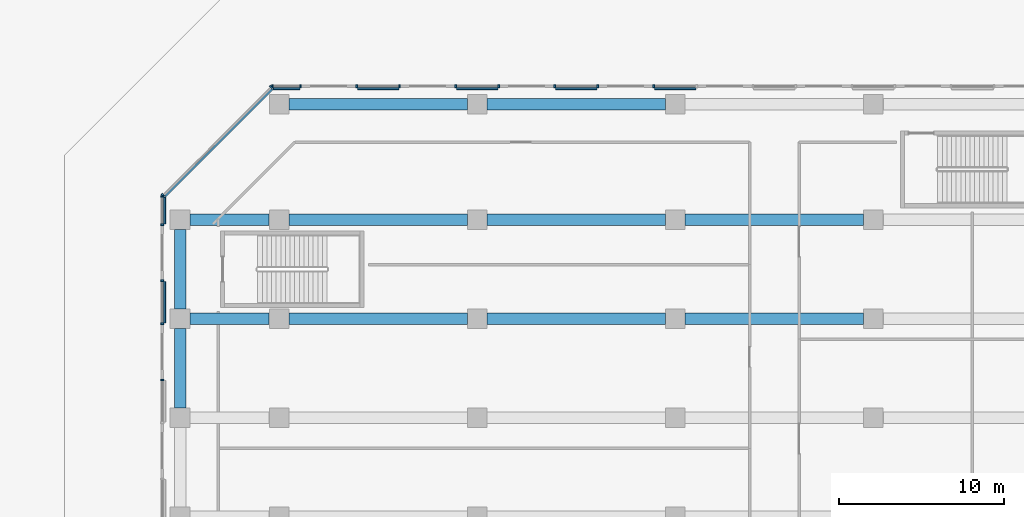
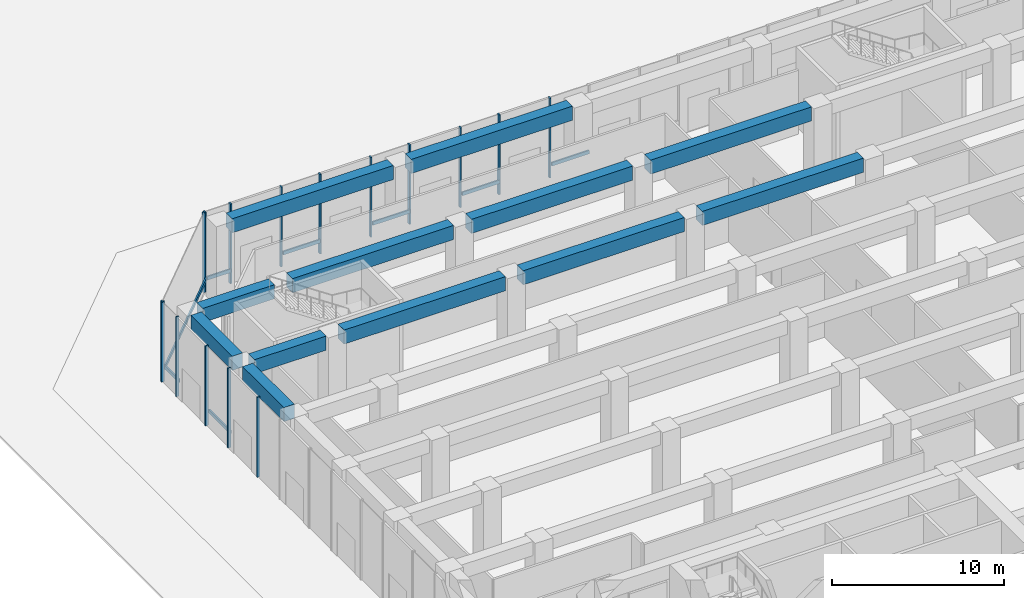
# One storey, part 9 of 32: 24 members, 12 beams, 9 elements without a shape of their own.
"""IFC4 building model written with IfcOpenShell, lengths in metres."""

from ifc_helpers import new_model, si_unit, direction, frame, origin, origin_2d, place, context, subcontext, project, spatial, rectangle, extrude, material, layer, layer_set, material_profile, profile_set, type_object, element, aggregate, save


model = new_model("IFC4")

# Units and contexts
model_context = context("Model", 3, precision=1e-05, world=origin(), true_north=direction((0.0, 1.0)))
body_context = subcontext(model_context, "Body", "Model", "MODEL_VIEW")
ifc_project = project(units=[si_unit("LENGTHUNIT", "METRE"), si_unit("AREAUNIT", "SQUARE_METRE"), si_unit("VOLUMEUNIT", "CUBIC_METRE"), si_unit("PLANEANGLEUNIT", "RADIAN"), si_unit("MASSUNIT", "GRAM", prefix="KILO")], contexts=[model_context])

# Site, building, storey
site_placement = place(None, origin())
site = spatial("IfcSite", under=ifc_project, at=site_placement, CompositionType="ELEMENT")
building_placement = place(site_placement, origin())
building = spatial("IfcBuilding", under=site, at=building_placement, Name="Welwitschia Terrace Campus", CompositionType="ELEMENT")
storey_placement = place(building_placement, origin())
storey = spatial("IfcBuildingStorey", under=building, at=storey_placement, Name="L00", CompositionType="ELEMENT", Elevation=0.0)

# Beams
ifc_material_1 = material(Name="Concrete C60/75", Category="concrete")
ifc_material_profile_1 = material_profile(ifc_material_1, rectangle(XDim=0.699951171875, YDim=1.0, at=origin_2d()))
ifc_profile_set_1 = profile_set([ifc_material_profile_1], Name="Concrete C60/75")
beam_type = type_object("IfcBeamType", Name="Base block beam 700x1000", PredefinedType="BEAM", material=ifc_profile_set_1)
beam_1_placement = place(storey_placement, frame((-5.3994140625, 56.0, 5.14990234375), z_axis=(1.0, 0.0, 0.0), x_axis=(0.0, 1.0, 0.0)))
element("IfcBeam", 1, at=beam_1_placement, inside=storey, type_object=beam_type, Name="Beam BB1", PredefinedType="BEAM", context=body_context, shape_type="SweptSolid", body=[
    extrude(rectangle(XDim=0.699951171875, YDim=1.0, at=origin_2d()), origin(), (0.0, 0.0, 1.0), 4.798828125),
])
for number, where, z_axis, x_axis, name in (
    (2, (0.6005859375, 56.0, 5.14990234375), (1.0, 0.0, 0.0), (0.0, 1.0, 0.0), "Beam BB1"),
    (3, (12.6005859375, 56.0, 5.14990234375), (1.0, 0.0, 0.0), (0.0, 1.0, 0.0), "Beam BB1"),
    (4, (24.6005859375, 56.0, 5.14990234375), (1.0, 0.0, 0.0), (0.0, 1.0, 0.0), "Beam BB1"),
):
    element("IfcBeam", number, at=place(storey_placement, frame(where, z_axis=z_axis, x_axis=x_axis)), inside=storey, type_object=beam_type, Name=name, PredefinedType="BEAM", context=body_context, shape_type="SweptSolid", body=[
        extrude(rectangle(XDim=0.699951171875, YDim=1.0, at=origin_2d()), origin(), (0.0, 0.0, 1.0), 10.798828125),
    ])
beam_2_placement = place(storey_placement, frame((-5.3994140625, 62.0, 5.14990234375), z_axis=(1.0, 0.0, 0.0), x_axis=(0.0, 1.0, 0.0)))
element("IfcBeam", 5, at=beam_2_placement, inside=storey, type_object=beam_type, Name="Beam BB1", PredefinedType="BEAM", context=body_context, shape_type="SweptSolid", body=[
    extrude(rectangle(XDim=0.699951171875, YDim=1.0, at=origin_2d()), origin(), (0.0, 0.0, 1.0), 4.798828125),
])
for number, where, z_axis, x_axis, name in (
    (6, (0.6005859375, 62.0, 5.14990234375), (1.0, 0.0, 0.0), (0.0, 1.0, 0.0), "Beam BB1"),
    (7, (12.6005859375, 62.0, 5.14990234375), (1.0, 0.0, 0.0), (0.0, 1.0, 0.0), "Beam BB1"),
    (8, (24.6005859375, 62.0, 5.14990234375), (1.0, 0.0, 0.0), (0.0, 1.0, 0.0), "Beam BB1"),
    (9, (0.6005859375, 69.0, 5.14990234375), (1.0, 0.0, 0.0), (0.0, 1.0, 0.0), "Beam BB1"),
    (10, (12.6005859375, 69.0, 5.14990234375), (1.0, 0.0, 0.0), (0.0, 1.0, 0.0), "Beam BB1"),
):
    element("IfcBeam", number, at=place(storey_placement, frame(where, z_axis=z_axis, x_axis=x_axis)), inside=storey, type_object=beam_type, Name=name, PredefinedType="BEAM", context=body_context, shape_type="SweptSolid", body=[
        extrude(rectangle(XDim=0.699951171875, YDim=1.0, at=origin_2d()), origin(), (0.0, 0.0, 1.0), 10.798828125),
    ])
for number, where, z_axis, x_axis, name in (
    (11, (-6.0, 50.6005859375, 5.14990234375), (0.0, 1.0, 0.0), (-1.0, 0.0, 0.0), "Beam BB1"),
    (12, (-6.0, 56.6005859375, 5.14990234375), (0.0, 1.0, 0.0), (-1.0, 0.0, 0.0), "Beam BB1"),
):
    element("IfcBeam", number, at=place(storey_placement, frame(where, z_axis=z_axis, x_axis=x_axis)), inside=storey, type_object=beam_type, Name=name, PredefinedType="BEAM", context=body_context, shape_type="SweptSolid", body=[
        extrude(rectangle(XDim=0.699951171875, YDim=1.0, at=origin_2d()), origin(), (0.0, 0.0, 1.0), 4.798828125),
    ])

# Curtain wall, member
ifc_material_2 = material(Name="Bronze anodised aluminium", Category="aluminium")
ifc_layer = layer(ifc_material_2, 0.199951171875)
ifc_layer_set = layer_set([ifc_layer], Name="Bronze anodised aluminium")
curtain_wall_type = type_object("IfcCurtainWallType", Name="Curtain wall CW4 arcade shopfront 7500", PredefinedType="NOTDEFINED", material=ifc_layer_set)
curtain_wall_1_placement = place(storey_placement, origin())
curtain_wall_1 = element("IfcCurtainWall", 13, at=curtain_wall_1_placement, inside=storey, type_object=curtain_wall_type, Name="CW L00.4.g11", PredefinedType="NOTDEFINED")
ifc_material_3 = material(Name="Bronze anodised aluminium", Category="aluminium")
ifc_material_profile_2 = material_profile(ifc_material_3, rectangle(XDim=0.199951171875, YDim=0.10009765625, at=origin_2d()))
ifc_profile_set_2 = profile_set([ifc_material_profile_2], Name="Bronze anodised aluminium")
member_type_1 = type_object("IfcMemberType", Name="Mullion 100x200", PredefinedType="MULLION", material=ifc_profile_set_2)
member_1_placement = place(storey_placement, frame((22.699951171875, 70.0849609375, 0.0), z_axis=(0.0, 0.0, 1.0), x_axis=(0.0, -1.0, 0.0)))
member_1 = element("IfcMember", 14, at=member_1_placement, type_object=member_type_1, Name="Mullion L00.4.g11.1", PredefinedType="MULLION", context=body_context, shape_type="SweptSolid", body=[
    extrude(rectangle(XDim=0.199951171875, YDim=0.10009765625, at=origin_2d()), origin(), (0.0, 0.0, 1.0), 5.64990234375),
])

# Curtain wall, members
curtain_wall_2_placement = place(storey_placement, origin())
curtain_wall_2 = element("IfcCurtainWall", 15, at=curtain_wall_2_placement, inside=storey, type_object=curtain_wall_type, Name="CW L00.4.g12", PredefinedType="NOTDEFINED")
member_2_placement = place(storey_placement, frame((19.300048828125, 70.0849609375, 0.0), z_axis=(0.0, 0.0, 1.0), x_axis=(0.0, -1.0, 0.0)))
member_2 = element("IfcMember", 16, at=member_2_placement, type_object=member_type_1, Name="Mullion L00.4.g12.0", PredefinedType="MULLION", context=body_context, shape_type="SweptSolid", body=[
    extrude(rectangle(XDim=0.199951171875, YDim=0.10009765625, at=origin_2d()), origin(), (0.0, 0.0, 1.0), 5.64990234375),
])
member_3_placement = place(storey_placement, frame((16.699951171875, 70.0849609375, 0.0), z_axis=(0.0, 0.0, 1.0), x_axis=(0.0, -1.0, 0.0)))
member_3 = element("IfcMember", 17, at=member_3_placement, type_object=member_type_1, Name="Mullion L00.4.g12.1", PredefinedType="MULLION", context=body_context, shape_type="SweptSolid", body=[
    extrude(rectangle(XDim=0.199951171875, YDim=0.10009765625, at=origin_2d()), origin(), (0.0, 0.0, 1.0), 5.64990234375),
])

curtain_wall_3_placement = place(storey_placement, origin())
curtain_wall_3 = element("IfcCurtainWall", 18, at=curtain_wall_3_placement, inside=storey, type_object=curtain_wall_type, Name="CW L00.4.g13", PredefinedType="NOTDEFINED")
member_4_placement = place(storey_placement, frame((13.300048828125, 70.0849609375, 0.0), z_axis=(0.0, 0.0, 1.0), x_axis=(0.0, -1.0, 0.0)))
member_4 = element("IfcMember", 19, at=member_4_placement, type_object=member_type_1, Name="Mullion L00.4.g13.0", PredefinedType="MULLION", context=body_context, shape_type="SweptSolid", body=[
    extrude(rectangle(XDim=0.199951171875, YDim=0.10009765625, at=origin_2d()), origin(), (0.0, 0.0, 1.0), 5.64990234375),
])
member_5_placement = place(storey_placement, frame((10.699951171875, 70.0849609375, 0.0), z_axis=(0.0, 0.0, 1.0), x_axis=(0.0, -1.0, 0.0)))
member_5 = element("IfcMember", 20, at=member_5_placement, type_object=member_type_1, Name="Mullion L00.4.g13.1", PredefinedType="MULLION", context=body_context, shape_type="SweptSolid", body=[
    extrude(rectangle(XDim=0.199951171875, YDim=0.10009765625, at=origin_2d()), origin(), (0.0, 0.0, 1.0), 5.64990234375),
])

curtain_wall_4_placement = place(storey_placement, origin())
curtain_wall_4 = element("IfcCurtainWall", 21, at=curtain_wall_4_placement, inside=storey, type_object=curtain_wall_type, Name="CW L00.4.g14", PredefinedType="NOTDEFINED")
member_6_placement = place(storey_placement, frame((7.300048828125, 70.0849609375, 0.0), z_axis=(0.0, 0.0, 1.0), x_axis=(0.0, -1.0, 0.0)))
member_6 = element("IfcMember", 22, at=member_6_placement, type_object=member_type_1, Name="Mullion L00.4.g14.0", PredefinedType="MULLION", context=body_context, shape_type="SweptSolid", body=[
    extrude(rectangle(XDim=0.199951171875, YDim=0.10009765625, at=origin_2d()), origin(), (0.0, 0.0, 1.0), 5.64990234375),
])
member_7_placement = place(storey_placement, frame((4.699951171875, 70.0849609375, 0.0), z_axis=(0.0, 0.0, 1.0), x_axis=(0.0, -1.0, 0.0)))
member_7 = element("IfcMember", 23, at=member_7_placement, type_object=member_type_1, Name="Mullion L00.4.g14.1", PredefinedType="MULLION", context=body_context, shape_type="SweptSolid", body=[
    extrude(rectangle(XDim=0.199951171875, YDim=0.10009765625, at=origin_2d()), origin(), (0.0, 0.0, 1.0), 5.64990234375),
])

curtain_wall_5_placement = place(storey_placement, origin())
curtain_wall_5 = element("IfcCurtainWall", 24, at=curtain_wall_5_placement, inside=storey, type_object=curtain_wall_type, Name="CW L00.4.g15", PredefinedType="NOTDEFINED")
member_8_placement = place(storey_placement, frame((1.300048828125, 70.0849609375, 0.0), z_axis=(0.0, 0.0, 1.0), x_axis=(0.0, -1.0, 0.0)))
member_8 = element("IfcMember", 25, at=member_8_placement, type_object=member_type_1, Name="Mullion L00.4.g15.0", PredefinedType="MULLION", context=body_context, shape_type="SweptSolid", body=[
    extrude(rectangle(XDim=0.199951171875, YDim=0.10009765625, at=origin_2d()), origin(), (0.0, 0.0, 1.0), 5.64990234375),
])
member_9_placement = place(storey_placement, frame((-0.3994140625, 70.0849609375, 0.0), z_axis=(0.0, 0.0, 1.0), x_axis=(0.0, -1.0, 0.0)))
member_9 = element("IfcMember", 26, at=member_9_placement, type_object=member_type_1, Name="Mullion L00.4.g15.1", PredefinedType="MULLION", context=body_context, shape_type="SweptSolid", body=[
    extrude(rectangle(XDim=0.199951171875, YDim=0.10009765625, at=origin_2d()), origin(), (0.0, 0.0, 1.0), 5.64990234375),
])

curtain_wall_6_placement = place(storey_placement, origin())
curtain_wall_6 = element("IfcCurtainWall", 27, at=curtain_wall_6_placement, inside=storey, type_object=curtain_wall_type, Name="CW L00.5.g0", PredefinedType="NOTDEFINED")
member_10_placement = place(storey_placement, frame((-0.48486328125, 70.049560546875, 0.0), z_axis=(0.0, 0.0, 1.0), x_axis=(0.707106781187, -0.707106781187, 0.0)))
member_10 = element("IfcMember", 28, at=member_10_placement, type_object=member_type_1, Name="Mullion L00.5.g0.0", PredefinedType="MULLION", context=body_context, shape_type="SweptSolid", body=[
    extrude(rectangle(XDim=0.199951171875, YDim=0.10009765625, at=origin_2d()), origin(), (0.0, 0.0, 1.0), 5.64990234375),
])
member_11_placement = place(storey_placement, frame((-7.049560546875, 63.48486328125, 0.0), z_axis=(0.0, 0.0, 1.0), x_axis=(0.707106781187, -0.707106781187, 0.0)))
member_11 = element("IfcMember", 29, at=member_11_placement, type_object=member_type_1, Name="Mullion L00.5.g0.1", PredefinedType="MULLION", context=body_context, shape_type="SweptSolid", body=[
    extrude(rectangle(XDim=0.199951171875, YDim=0.10009765625, at=origin_2d()), origin(), (0.0, 0.0, 1.0), 5.64990234375),
])

curtain_wall_7_placement = place(storey_placement, origin())
curtain_wall_7 = element("IfcCurtainWall", 30, at=curtain_wall_7_placement, inside=storey, type_object=curtain_wall_type, Name="CW L00.6.g0", PredefinedType="NOTDEFINED")
member_12_placement = place(storey_placement, frame((-7.0849609375, 63.3994140625, 0.0), z_axis=(0.0, 0.0, 1.0), x_axis=(1.0, 0.0, 0.0)))
member_12 = element("IfcMember", 31, at=member_12_placement, type_object=member_type_1, Name="Mullion L00.6.g0.0", PredefinedType="MULLION", context=body_context, shape_type="SweptSolid", body=[
    extrude(rectangle(XDim=0.199951171875, YDim=0.10009765625, at=origin_2d()), origin(), (0.0, 0.0, 1.0), 5.64990234375),
])
member_13_placement = place(storey_placement, frame((-7.0849609375, 61.699951171875, 0.0), z_axis=(0.0, 0.0, 1.0), x_axis=(1.0, 0.0, 0.0)))
member_13 = element("IfcMember", 32, at=member_13_placement, type_object=member_type_1, Name="Mullion L00.6.g0.1", PredefinedType="MULLION", context=body_context, shape_type="SweptSolid", body=[
    extrude(rectangle(XDim=0.199951171875, YDim=0.10009765625, at=origin_2d()), origin(), (0.0, 0.0, 1.0), 5.64990234375),
])

curtain_wall_8_placement = place(storey_placement, origin())
curtain_wall_8 = element("IfcCurtainWall", 33, at=curtain_wall_8_placement, inside=storey, type_object=curtain_wall_type, Name="CW L00.6.g1", PredefinedType="NOTDEFINED")
member_14_placement = place(storey_placement, frame((-7.0849609375, 58.300048828125, 0.0), z_axis=(0.0, 0.0, 1.0), x_axis=(1.0, 0.0, 0.0)))
member_14 = element("IfcMember", 34, at=member_14_placement, type_object=member_type_1, Name="Mullion L00.6.g1.0", PredefinedType="MULLION", context=body_context, shape_type="SweptSolid", body=[
    extrude(rectangle(XDim=0.199951171875, YDim=0.10009765625, at=origin_2d()), origin(), (0.0, 0.0, 1.0), 5.64990234375),
])
member_15_placement = place(storey_placement, frame((-7.0849609375, 55.699951171875, 0.0), z_axis=(0.0, 0.0, 1.0), x_axis=(1.0, 0.0, 0.0)))
member_15 = element("IfcMember", 35, at=member_15_placement, type_object=member_type_1, Name="Mullion L00.6.g1.1", PredefinedType="MULLION", context=body_context, shape_type="SweptSolid", body=[
    extrude(rectangle(XDim=0.199951171875, YDim=0.10009765625, at=origin_2d()), origin(), (0.0, 0.0, 1.0), 5.64990234375),
])

# Curtain wall, member
curtain_wall_9_placement = place(storey_placement, origin())
curtain_wall_9 = element("IfcCurtainWall", 36, at=curtain_wall_9_placement, inside=storey, type_object=curtain_wall_type, Name="CW L00.6.g2", PredefinedType="NOTDEFINED")
member_16_placement = place(storey_placement, frame((-7.0849609375, 52.300048828125, 0.0), z_axis=(0.0, 0.0, 1.0), x_axis=(1.0, 0.0, 0.0)))
member_16 = element("IfcMember", 37, at=member_16_placement, type_object=member_type_1, Name="Mullion L00.6.g2.0", PredefinedType="MULLION", context=body_context, shape_type="SweptSolid", body=[
    extrude(rectangle(XDim=0.199951171875, YDim=0.10009765625, at=origin_2d()), origin(), (0.0, 0.0, 1.0), 5.64990234375),
])
aggregate(curtain_wall_9, [member_16])

# Member
ifc_material_4 = material(Name="Bronze anodised aluminium", Category="aluminium")
ifc_material_profile_3 = material_profile(ifc_material_4, rectangle(XDim=0.10009765625, YDim=0.25, at=origin_2d()))
ifc_profile_set_3 = profile_set([ifc_material_profile_3], Name="Bronze anodised aluminium")
member_type_2 = type_object("IfcMemberType", Name="Transom 100x250", PredefinedType="USERDEFINED", material=ifc_profile_set_3)
member_17_placement = place(storey_placement, frame((25.25, 69.93505859375, 1.0), z_axis=(-1.0, 0.0, 0.0), x_axis=(0.0, -1.0, 0.0)))
member_17 = element("IfcMember", 38, at=member_17_placement, type_object=member_type_2, Name="Transom L00.4.g11", ObjectType="TRANSOM", PredefinedType="USERDEFINED", context=body_context, shape_type="SweptSolid", body=[
    extrude(rectangle(XDim=0.10009765625, YDim=0.25, at=origin_2d()), origin(), (0.0, 0.0, 1.0), 2.5),
])

aggregate(curtain_wall_1, [member_1, member_17])

member_18_placement = place(storey_placement, frame((19.25, 69.93505859375, 1.0), z_axis=(-1.0, 0.0, 0.0), x_axis=(0.0, -1.0, 0.0)))
member_18 = element("IfcMember", 39, at=member_18_placement, type_object=member_type_2, Name="Transom L00.4.g12", ObjectType="TRANSOM", PredefinedType="USERDEFINED", context=body_context, shape_type="SweptSolid", body=[
    extrude(rectangle(XDim=0.10009765625, YDim=0.25, at=origin_2d()), origin(), (0.0, 0.0, 1.0), 2.5),
])

aggregate(curtain_wall_2, [member_2, member_3, member_18])

member_19_placement = place(storey_placement, frame((13.25, 69.93505859375, 1.0), z_axis=(-1.0, 0.0, 0.0), x_axis=(0.0, -1.0, 0.0)))
member_19 = element("IfcMember", 40, at=member_19_placement, type_object=member_type_2, Name="Transom L00.4.g13", ObjectType="TRANSOM", PredefinedType="USERDEFINED", context=body_context, shape_type="SweptSolid", body=[
    extrude(rectangle(XDim=0.10009765625, YDim=0.25, at=origin_2d()), origin(), (0.0, 0.0, 1.0), 2.5),
])

aggregate(curtain_wall_3, [member_4, member_5, member_19])

member_20_placement = place(storey_placement, frame((7.25, 69.93505859375, 1.0), z_axis=(-1.0, 0.0, 0.0), x_axis=(0.0, -1.0, 0.0)))
member_20 = element("IfcMember", 41, at=member_20_placement, type_object=member_type_2, Name="Transom L00.4.g14", ObjectType="TRANSOM", PredefinedType="USERDEFINED", context=body_context, shape_type="SweptSolid", body=[
    extrude(rectangle(XDim=0.10009765625, YDim=0.25, at=origin_2d()), origin(), (0.0, 0.0, 1.0), 2.5),
])

aggregate(curtain_wall_4, [member_6, member_7, member_20])

member_21_placement = place(storey_placement, frame((1.25, 69.93505859375, 1.0), z_axis=(-1.0, 0.0, 0.0), x_axis=(0.0, -1.0, 0.0)))
member_21 = element("IfcMember", 42, at=member_21_placement, type_object=member_type_2, Name="Transom L00.4.g15", ObjectType="TRANSOM", PredefinedType="USERDEFINED", context=body_context, shape_type="SweptSolid", body=[
    extrude(rectangle(XDim=0.10009765625, YDim=0.25, at=origin_2d()), origin(), (0.0, 0.0, 1.0), 1.599365234375),
])

aggregate(curtain_wall_5, [member_8, member_9, member_21])

member_22_placement = place(storey_placement, frame((-0.4140625, 69.908203125, 1.0), z_axis=(-0.707106781187, -0.707106781187, 0.0), x_axis=(0.707106781187, -0.707106781187, 0.0)))
member_22 = element("IfcMember", 43, at=member_22_placement, type_object=member_type_2, Name="Transom L00.5.g0", ObjectType="TRANSOM", PredefinedType="USERDEFINED", context=body_context, shape_type="SweptSolid", body=[
    extrude(rectangle(XDim=0.10009765625, YDim=0.25, at=origin_2d()), origin(), (0.0, 0.0, 1.0), 9.18408203125),
])

aggregate(curtain_wall_6, [member_10, member_11, member_22])

member_23_placement = place(storey_placement, frame((-6.93505859375, 63.349365234375, 1.0), z_axis=(0.0, -1.0, 0.0), x_axis=(1.0, 0.0, 0.0)))
member_23 = element("IfcMember", 44, at=member_23_placement, type_object=member_type_2, Name="Transom L00.6.g0", ObjectType="TRANSOM", PredefinedType="USERDEFINED", context=body_context, shape_type="SweptSolid", body=[
    extrude(rectangle(XDim=0.10009765625, YDim=0.25, at=origin_2d()), origin(), (0.0, 0.0, 1.0), 1.599365234375),
])

aggregate(curtain_wall_7, [member_12, member_13, member_23])

member_24_placement = place(storey_placement, frame((-6.93505859375, 58.25, 1.0), z_axis=(0.0, -1.0, 0.0), x_axis=(1.0, 0.0, 0.0)))
member_24 = element("IfcMember", 45, at=member_24_placement, type_object=member_type_2, Name="Transom L00.6.g1", ObjectType="TRANSOM", PredefinedType="USERDEFINED", context=body_context, shape_type="SweptSolid", body=[
    extrude(rectangle(XDim=0.10009765625, YDim=0.25, at=origin_2d()), origin(), (0.0, 0.0, 1.0), 2.5),
])

aggregate(curtain_wall_8, [member_14, member_15, member_24])

save(model, "model.ifc")
